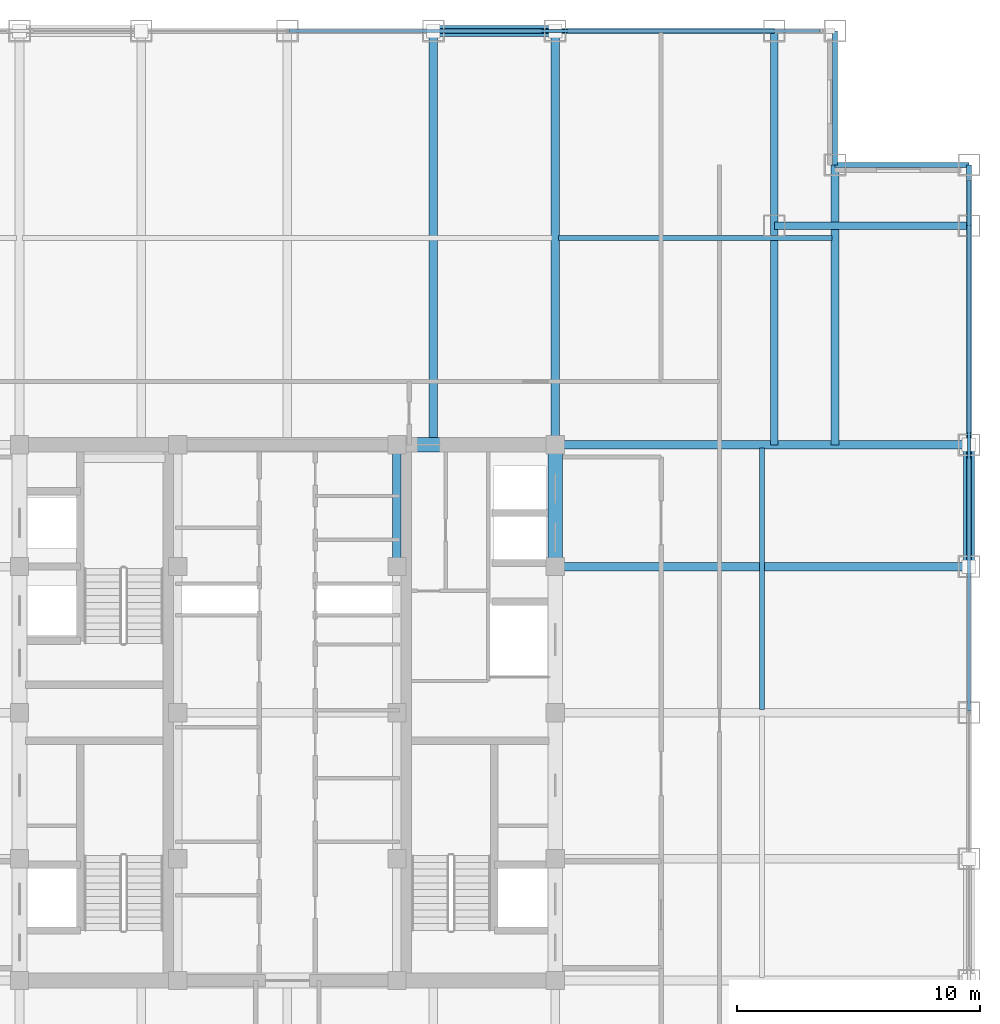
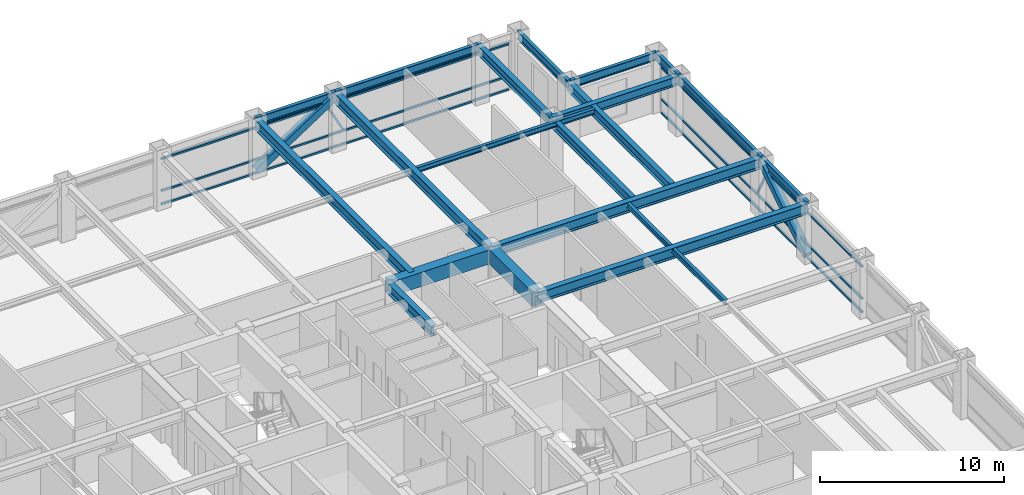
# One storey, part 15 of 22: 19 beams, 10 members, 2 elements without a shape of their own.
"""IFC4 building model written with IfcOpenShell, lengths in metres."""

from ifc_helpers import new_model, si_unit, direction, frame, origin, origin_2d, place, context, subcontext, project, spatial, rectangle, hollow_rectangle, i_section, extrude, source, transform, mapped, material, material_profile, profile_set, type_object, element, aggregate, save


model = new_model("IFC4")

# Units and contexts
model_context = context("Model", 3, precision=1e-05, world=origin(), true_north=direction((0.0, 1.0)))
body_context = subcontext(model_context, "Body", "Model", "MODEL_VIEW")
ifc_project = project(units=[si_unit("LENGTHUNIT", "METRE"), si_unit("AREAUNIT", "SQUARE_METRE"), si_unit("VOLUMEUNIT", "CUBIC_METRE"), si_unit("PLANEANGLEUNIT", "RADIAN"), si_unit("MASSUNIT", "GRAM", prefix="KILO")], contexts=[model_context])

# Site, building, storey
site_placement = place(None, origin())
site = spatial("IfcSite", under=ifc_project, at=site_placement, CompositionType="ELEMENT")
building_placement = place(site_placement, origin())
building = spatial("IfcBuilding", under=site, at=building_placement, Name="Khorayat Bourse Tower", CompositionType="ELEMENT")
storey_placement = place(building_placement, frame((0.0, 0.0, 289.5)))
storey = spatial("IfcBuildingStorey", under=building, at=storey_placement, Name="L68", CompositionType="ELEMENT", Elevation=289.5)

# Beams
ifc_material_1 = material(Name="Steel ASTM A992 Grade 50", Category="steel")
ifc_material_profile_1 = material_profile(ifc_material_1, i_section(OverallWidth=0.35498046875, OverallDepth=0.695068359375, WebThickness=0.015380859375, FlangeThickness=0.02490234375, FilletRadius=0.01806640625, at=origin_2d()), Name="W690X217")
ifc_profile_set_1 = profile_set([ifc_material_profile_1], Name="Steel ASTM A992 Grade 50")
beam_type_1 = type_object("IfcBeamType", Name="BM-GIRD-690", PredefinedType="BEAM", material=ifc_profile_set_1)
shared_shape_1 = source(origin(), body_context, "Body", "SweptSolid", [
    extrude(i_section(OverallWidth=0.35498046875, OverallDepth=0.695068359375, WebThickness=0.015380859375, FlangeThickness=0.02490234375, FilletRadius=0.01806640625, at=origin_2d()), origin(), (0.0, 0.0, 1.0), 5.0),
])
beam_1_placement = place(storey_placement, frame((4.5, 6.0, 3.4326171875), z_axis=(0.0, 1.0, 0.0), x_axis=(-1.0, 0.0, 0.0)))
element("IfcBeam", 1, at=beam_1_placement, inside=storey, type_object=beam_type_1, Name="L68 BM-GIRD-690 BM-L68-CRX-12", PredefinedType="BEAM", context=body_context, shape_type="MappedRepresentation", body=[
    mapped(shared_shape_1, transform((0.0, 0.0, 0.0), scale=1.0)),
])
ifc_material_profile_2 = material_profile(ifc_material_1, i_section(OverallWidth=0.324951171875, OverallDepth=0.615966796875, WebThickness=0.013916015625, FlangeThickness=0.021484375, FilletRadius=0.01611328125, at=origin_2d()), Name="W610X174")
ifc_profile_set_2 = profile_set([ifc_material_profile_2], Name="Steel ASTM A992 Grade 50")
beam_type_2 = type_object("IfcBeamType", Name="BM-GIRD-610", PredefinedType="BEAM", material=ifc_profile_set_2)
shared_shape_2 = source(origin(), body_context, "Body", "SweptSolid", [
    extrude(i_section(OverallWidth=0.324951171875, OverallDepth=0.615966796875, WebThickness=0.013916015625, FlangeThickness=0.021484375, FilletRadius=0.01611328125, at=origin_2d()), origin(), (0.0, 0.0, 1.0), 17.0),
])
beam_2_placement = place(storey_placement, frame((20.0, 11.0, 3.471923828125), z_axis=(0.0, 1.0, 0.0), x_axis=(-1.0, 0.0, 0.0)))
element("IfcBeam", 2, at=beam_2_placement, inside=storey, type_object=beam_type_2, Name="L68 BM-GIRD-610 BM-L68-CNRY-087", PredefinedType="BEAM", context=body_context, shape_type="MappedRepresentation", body=[
    mapped(shared_shape_2, transform((0.0, 0.0, 0.0), scale=1.0)),
])
ifc_material_2 = material(Name="Concrete C60/75", Category="concrete")
ifc_material_profile_3 = material_profile(ifc_material_2, rectangle(XDim=0.60009765625, YDim=0.949951171875, at=origin_2d()), Name="RC 600x950")
ifc_profile_set_3 = profile_set([ifc_material_profile_3], Name="Concrete C60/75")
beam_type_3 = type_object("IfcBeamType", Name="BM-COUP-950", PredefinedType="BEAM", material=ifc_profile_set_3)
shared_shape_3 = source(origin(), body_context, "Body", "SweptSolid", [
    extrude(rectangle(XDim=0.60009765625, YDim=0.949951171875, at=origin_2d()), origin(), (0.0, 0.0, 1.0), 5.0),
])
beam_3_placement = place(storey_placement, frame((11.0, 6.0, 3.304931640625), z_axis=(0.0, 1.0, 0.0), x_axis=(-1.0, 0.0, 0.0)))
element("IfcBeam", 3, at=beam_3_placement, inside=storey, type_object=beam_type_3, Name="L68 BM-COUP-950 BM-L68-CRX-16", PredefinedType="BEAM", context=body_context, shape_type="MappedRepresentation", body=[
    mapped(shared_shape_3, transform((0.0, 0.0, 0.0), scale=1.0)),
])
shared_shape_4 = source(origin(), body_context, "Body", "SweptSolid", [
    extrude(rectangle(XDim=0.60009765625, YDim=0.949951171875, at=origin_2d()), origin(), (0.0, 0.0, 1.0), 6.5),
])
beam_4_placement = place(storey_placement, frame((4.5, 11.0, 3.304931640625), z_axis=(1.0, 0.0, 0.0), x_axis=(0.0, 1.0, 0.0)))
element("IfcBeam", 4, at=beam_4_placement, inside=storey, type_object=beam_type_3, Name="L68 BM-COUP-950 BM-L68-CRY-22", PredefinedType="BEAM", context=body_context, shape_type="MappedRepresentation", body=[
    mapped(shared_shape_4, transform((0.0, 0.0, 0.0), scale=1.0)),
])

# Members
ifc_material_3 = material(Name="Steel EN 10025-4 S460M", Category="steel")
ifc_material_profile_4 = material_profile(ifc_material_3, hollow_rectangle(XDim=0.449951171875, YDim=0.449951171875, WallThickness=0.02490234375, at=origin_2d()), Name="HSS 450x450x25")
ifc_profile_set_4 = profile_set([ifc_material_profile_4], Name="Steel EN 10025-4 S460M")
member_type_1 = type_object("IfcMemberType", Name="MBR-TUBE-450", PredefinedType="BRACE", material=ifc_profile_set_4)
shared_shape_5 = source(origin(), body_context, "Body", "SweptSolid", [
    extrude(hollow_rectangle(XDim=0.449951171875, YDim=0.449951171875, WallThickness=0.02490234375, at=origin_2d()), origin(), (0.0, 0.0, 1.0), 5.979736328125),
])
for number, where, z_axis, x_axis, name in (
    (5, (6.0, 28.0, 0.25), (0.836141536525, 0.0, 0.548513747227), (0.0, 1.0, 0.0), "L68 Perimeter Tube Brace 04"),
    (6, (28.0, 6.0, 0.25), (0.0, 0.836141536525, 0.548513747227), (-1.0, 0.0, 0.0), "L68 Perimeter Tube Brace 08"),
):
    element("IfcMember", number, at=place(storey_placement, frame(where, z_axis=z_axis, x_axis=x_axis)), inside=storey, type_object=member_type_1, Name=name, PredefinedType="BRACE", context=body_context, shape_type="MappedRepresentation", body=[
        mapped(shared_shape_5, transform((0.0, 0.0, 0.0), scale=1.0)),
    ])

# Beams
shared_shape_6 = source(origin(), body_context, "Body", "SweptSolid", [
    extrude(i_section(OverallWidth=0.35498046875, OverallDepth=0.695068359375, WebThickness=0.015380859375, FlangeThickness=0.02490234375, FilletRadius=0.01806640625, at=origin_2d()), origin(), (0.0, 0.0, 1.0), 17.0),
])
for number, where, z_axis, x_axis, name in (
    (7, (6.0, 11.0, 3.4326171875), (0.0, 1.0, 0.0), (-1.0, 0.0, 0.0), "L68 BM-GIRD-690 BM-L68-RADY-070"),
    (8, (11.0, 11.0, 3.4326171875), (0.0, 1.0, 0.0), (-1.0, 0.0, 0.0), "L68 BM-GIRD-690 BM-L68-RADY-072"),
    (9, (11.0, 6.0, 3.4326171875), (1.0, 0.0, 0.0), (0.0, 1.0, 0.0), "L68 BM-GIRD-690 BM-L68-RADX-080"),
    (10, (11.0, 11.0, 3.4326171875), (1.0, 0.0, 0.0), (0.0, 1.0, 0.0), "L68 BM-GIRD-690 BM-L68-RADX-082"),
):
    element("IfcBeam", number, at=place(storey_placement, frame(where, z_axis=z_axis, x_axis=x_axis)), inside=storey, type_object=beam_type_1, Name=name, PredefinedType="BEAM", context=body_context, shape_type="MappedRepresentation", body=[
        mapped(shared_shape_6, transform((0.0, 0.0, 0.0), scale=1.0)),
    ])
shared_shape_7 = source(origin(), body_context, "Body", "SweptSolid", [
    extrude(i_section(OverallWidth=0.324951171875, OverallDepth=0.615966796875, WebThickness=0.013916015625, FlangeThickness=0.021484375, FilletRadius=0.01611328125, at=origin_2d()), origin(), (0.0, 0.0, 1.0), 11.5),
])
beam_5_placement = place(storey_placement, frame((22.5, 11.0, 3.471923828125), z_axis=(0.0, 1.0, 0.0), x_axis=(-1.0, 0.0, 0.0)))
element("IfcBeam", 11, at=beam_5_placement, inside=storey, type_object=beam_type_2, Name="L68 BM-GIRD-610 BM-L68-CNRY-091", PredefinedType="BEAM", context=body_context, shape_type="MappedRepresentation", body=[
    mapped(shared_shape_7, transform((0.0, 0.0, 0.0), scale=1.0)),
])
shared_shape_8 = source(origin(), body_context, "Body", "SweptSolid", [
    extrude(i_section(OverallWidth=0.324951171875, OverallDepth=0.615966796875, WebThickness=0.013916015625, FlangeThickness=0.021484375, FilletRadius=0.01611328125, at=origin_2d()), origin(), (0.0, 0.0, 1.0), 8.0),
])
beam_6_placement = place(storey_placement, frame((20.0, 20.0, 3.471923828125), z_axis=(1.0, 0.0, 0.0), x_axis=(0.0, 1.0, 0.0)))
element("IfcBeam", 12, at=beam_6_placement, inside=storey, type_object=beam_type_2, Name="L68 BM-GIRD-610 BM-L68-CNRX-094", PredefinedType="BEAM", context=body_context, shape_type="MappedRepresentation", body=[
    mapped(shared_shape_8, transform((0.0, 0.0, 0.0), scale=1.0)),
])
ifc_material_profile_5 = material_profile(ifc_material_1, i_section(OverallWidth=0.202880859375, OverallDepth=0.346923828125, WebThickness=0.0078125, FlangeThickness=0.013427734375, FilletRadius=0.010009765625, at=origin_2d()), Name="W360X64")
ifc_profile_set_5 = profile_set([ifc_material_profile_5], Name="Steel ASTM A992 Grade 50")
beam_type_4 = type_object("IfcBeamType", Name="BM-JOIST-360", PredefinedType="JOIST", material=ifc_profile_set_5)
shared_shape_9 = source(origin(), body_context, "Body", "SweptSolid", [
    extrude(i_section(OverallWidth=0.202880859375, OverallDepth=0.346923828125, WebThickness=0.0078125, FlangeThickness=0.013427734375, FilletRadius=0.010009765625, at=origin_2d()), origin(), (0.0, 0.0, 1.0), 11.240234375),
])
beam_7_placement = place(storey_placement, frame((11.1298828125, 19.5, 3.6064453125), z_axis=(1.0, 0.0, 0.0), x_axis=(0.0, 1.0, 0.0)))
element("IfcBeam", 13, at=beam_7_placement, inside=storey, type_object=beam_type_4, Name="L68 BM-JOIST-360 BM-L68-JSTX-101", PredefinedType="JOIST", context=body_context, shape_type="MappedRepresentation", body=[
    mapped(shared_shape_9, transform((0.0, 0.0, 0.0), scale=1.0)),
])
shared_shape_10 = source(origin(), body_context, "Body", "SweptSolid", [
    extrude(i_section(OverallWidth=0.202880859375, OverallDepth=0.346923828125, WebThickness=0.0078125, FlangeThickness=0.013427734375, FilletRadius=0.010009765625, at=origin_2d()), origin(), (0.0, 0.0, 1.0), 10.740234375),
])
beam_8_placement = place(storey_placement, frame((19.5, 0.1298828125, 3.6064453125), z_axis=(0.0, 1.0, 0.0), x_axis=(-1.0, 0.0, 0.0)))
element("IfcBeam", 14, at=beam_8_placement, inside=storey, type_object=beam_type_4, Name="L68 BM-JOIST-360 BM-L68-JSTY-105", PredefinedType="JOIST", context=body_context, shape_type="MappedRepresentation", body=[
    mapped(shared_shape_10, transform((0.0, 0.0, 0.0), scale=1.0)),
])
ifc_material_profile_6 = material_profile(ifc_material_1, i_section(OverallWidth=0.214111328125, OverallDepth=0.549072265625, WebThickness=0.0146484375, FlangeThickness=0.023681640625, FilletRadius=0.013916015625, at=origin_2d()), Name="W530X138")
ifc_profile_set_6 = profile_set([ifc_material_profile_6], Name="Steel ASTM A992 Grade 50")
beam_type_5 = type_object("IfcBeamType", Name="BM-SPAN-530", PredefinedType="SPANDREL", material=ifc_profile_set_6)
shared_shape_11 = source(origin(), body_context, "Body", "SweptSolid", [
    extrude(i_section(OverallWidth=0.214111328125, OverallDepth=0.549072265625, WebThickness=0.0146484375, FlangeThickness=0.023681640625, FilletRadius=0.013916015625, at=origin_2d()), origin(), (0.0, 0.0, 1.0), 2.5),
])
beam_9_placement = place(storey_placement, frame((28.0, 20.0, 3.505615234375), z_axis=(0.0, 1.0, 0.0), x_axis=(-1.0, 0.0, 0.0)))
element("IfcBeam", 15, at=beam_9_placement, inside=storey, type_object=beam_type_5, Name="L68 BM-SPAN-530 BM-L68-SPN-041", PredefinedType="SPANDREL", context=body_context, shape_type="MappedRepresentation", body=[
    mapped(shared_shape_11, transform((0.0, 0.0, 0.0), scale=1.0)),
])
shared_shape_12 = source(origin(), body_context, "Body", "SweptSolid", [
    extrude(i_section(OverallWidth=0.214111328125, OverallDepth=0.549072265625, WebThickness=0.0146484375, FlangeThickness=0.023681640625, FilletRadius=0.013916015625, at=origin_2d()), origin(), (0.0, 0.0, 1.0), 9.0),
])
for number, where, z_axis, x_axis, name in (
    (16, (28.0, 11.0, 3.505615234375), (0.0, 1.0, 0.0), (-1.0, 0.0, 0.0), "L68 BM-SPAN-530 BM-L68-SPN-040"),
    (17, (11.0, 28.0, 3.505615234375), (1.0, 0.0, 0.0), (0.0, 1.0, 0.0), "L68 BM-SPAN-530 BM-L68-SPN-045"),
):
    element("IfcBeam", number, at=place(storey_placement, frame(where, z_axis=z_axis, x_axis=x_axis)), inside=storey, type_object=beam_type_5, Name=name, PredefinedType="SPANDREL", context=body_context, shape_type="MappedRepresentation", body=[
        mapped(shared_shape_12, transform((0.0, 0.0, 0.0), scale=1.0)),
    ])
shared_shape_13 = source(origin(), body_context, "Body", "SweptSolid", [
    extrude(i_section(OverallWidth=0.214111328125, OverallDepth=0.549072265625, WebThickness=0.0146484375, FlangeThickness=0.023681640625, FilletRadius=0.013916015625, at=origin_2d()), origin(), (0.0, 0.0, 1.0), 5.0),
])
for number, where, z_axis, x_axis, name in (
    (18, (28.0, 6.0, 3.505615234375), (0.0, 1.0, 0.0), (-1.0, 0.0, 0.0), "L68 BM-SPAN-530 BM-L68-SPN-039"),
    (19, (6.0, 28.0, 3.505615234375), (1.0, 0.0, 0.0), (0.0, 1.0, 0.0), "L68 BM-SPAN-530 BM-L68-SPN-046"),
):
    element("IfcBeam", number, at=place(storey_placement, frame(where, z_axis=z_axis, x_axis=x_axis)), inside=storey, type_object=beam_type_5, Name=name, PredefinedType="SPANDREL", context=body_context, shape_type="MappedRepresentation", body=[
        mapped(shared_shape_13, transform((0.0, 0.0, 0.0), scale=1.0)),
    ])
shared_shape_14 = source(origin(), body_context, "Body", "SweptSolid", [
    extrude(i_section(OverallWidth=0.214111328125, OverallDepth=0.549072265625, WebThickness=0.0146484375, FlangeThickness=0.023681640625, FilletRadius=0.013916015625, at=origin_2d()), origin(), (0.0, 0.0, 1.0), 5.5),
])
for number, where, z_axis, x_axis, name in (
    (20, (22.5, 22.5, 3.505615234375), (1.0, 0.0, 0.0), (0.0, 1.0, 0.0), "L68 BM-SPAN-530 BM-L68-SPN-042"),
    (21, (22.5, 22.5, 3.505615234375), (0.0, 1.0, 0.0), (-1.0, 0.0, 0.0), "L68 BM-SPAN-530 BM-L68-SPN-043"),
):
    element("IfcBeam", number, at=place(storey_placement, frame(where, z_axis=z_axis, x_axis=x_axis)), inside=storey, type_object=beam_type_5, Name=name, PredefinedType="SPANDREL", context=body_context, shape_type="MappedRepresentation", body=[
        mapped(shared_shape_14, transform((0.0, 0.0, 0.0), scale=1.0)),
    ])

# Curtain wall, member
ifc_material_4 = material(Name="Aluminium EN AW-6063 T6", Category="aluminium")
curtain_wall_type = type_object("IfcCurtainWallType", Name="CW-SYS-04", PredefinedType="NOTDEFINED", material=ifc_material_4)
curtain_wall_1_placement = place(storey_placement, origin())
curtain_wall_1 = element("IfcCurtainWall", 22, at=curtain_wall_1_placement, inside=storey, type_object=curtain_wall_type, Name="L68 Curtain Wall CW-L68-N1", PredefinedType="NOTDEFINED")
ifc_material_profile_7 = material_profile(ifc_material_4, hollow_rectangle(XDim=0.1201171875, YDim=0.1201171875, WallThickness=0.0048828125, at=origin_2d()), Name="ALU 120x120x5")
ifc_profile_set_7 = profile_set([ifc_material_profile_7], Name="Aluminium EN AW-6063 T6")
member_type_2 = type_object("IfcMemberType", Name="CWM-DIAG-120", PredefinedType="MULLION", material=ifc_profile_set_7)
shared_shape_15 = source(origin(), body_context, "Body", "SweptSolid", [
    extrude(hollow_rectangle(XDim=0.1201171875, YDim=0.1201171875, WallThickness=0.0048828125, at=origin_2d()), origin(), (0.0, 0.0, 1.0), 2.0791015625),
])
member_1_placement = place(storey_placement, frame((11.4541015625, 28.0, 1.090087890625), z_axis=(-0.465717394116, 0.0, 0.884933505309), x_axis=(0.0, -1.0, 0.0)))
member_1 = element("IfcMember", 23, at=member_1_placement, type_object=member_type_2, Name="CW-L68-N1 Faceted Diagonal Mullion 2", PredefinedType="MULLION", context=body_context, shape_type="MappedRepresentation", body=[
    mapped(shared_shape_15, transform((0.0, 0.0, 0.0), scale=1.0)),
])

curtain_wall_2_placement = place(storey_placement, origin())
curtain_wall_2 = element("IfcCurtainWall", 24, at=curtain_wall_2_placement, inside=storey, type_object=curtain_wall_type, Name="L68 Curtain Wall CW-L68-E1", PredefinedType="NOTDEFINED")
member_2_placement = place(storey_placement, frame((28.0, 11.4541015625, 1.090087890625), z_axis=(0.0, -0.465717394116, 0.884933505309), x_axis=(1.0, 0.0, 0.0)))
member_2 = element("IfcMember", 25, at=member_2_placement, type_object=member_type_2, Name="CW-L68-E1 Faceted Diagonal Mullion 2", PredefinedType="MULLION", context=body_context, shape_type="MappedRepresentation", body=[
    mapped(shared_shape_15, transform((0.0, 0.0, 0.0), scale=1.0)),
])

# Member
ifc_material_profile_8 = material_profile(ifc_material_4, hollow_rectangle(XDim=0.1201171875, YDim=0.1201171875, WallThickness=0.0048828125, at=origin_2d()), Name="ALU 120x120x5")
ifc_profile_set_8 = profile_set([ifc_material_profile_8], Name="Aluminium EN AW-6063 T6")
member_type_3 = type_object("IfcMemberType", Name="CWT-HORZ-120", PredefinedType="USERDEFINED", material=ifc_profile_set_8)
shared_shape_16 = source(origin(), body_context, "Body", "SweptSolid", [
    extrude(hollow_rectangle(XDim=0.1201171875, YDim=0.1201171875, WallThickness=0.0048828125, at=origin_2d()), origin(), (0.0, 0.0, 1.0), 21.81982421875),
])
member_3_placement = place(storey_placement, frame((0.06005859375, 28.0, 0.06005859375), z_axis=(1.0, 0.0, 0.0), x_axis=(0.0, 1.0, 0.0)))
member_3 = element("IfcMember", 26, at=member_3_placement, type_object=member_type_3, Name="CW-L68-N1 Horizontal Transom 2-1", ObjectType="TRANSOM", PredefinedType="USERDEFINED", context=body_context, shape_type="MappedRepresentation", body=[
    mapped(shared_shape_16, transform((0.0, 0.0, 0.0), scale=1.0)),
])

member_4_placement = place(storey_placement, frame((0.06005859375, 28.0, 0.949951171875), z_axis=(1.0, 0.0, 0.0), x_axis=(0.0, 1.0, 0.0)))
member_4 = element("IfcMember", 27, at=member_4_placement, type_object=member_type_3, Name="CW-L68-N1 Horizontal Transom 2-2", ObjectType="TRANSOM", PredefinedType="USERDEFINED", context=body_context, shape_type="MappedRepresentation", body=[
    mapped(shared_shape_16, transform((0.0, 0.0, 0.0), scale=1.0)),
])

member_5_placement = place(storey_placement, frame((0.06005859375, 28.0, 3.070068359375), z_axis=(1.0, 0.0, 0.0), x_axis=(0.0, 1.0, 0.0)))
member_5 = element("IfcMember", 28, at=member_5_placement, type_object=member_type_3, Name="CW-L68-N1 Horizontal Transom 2-3", ObjectType="TRANSOM", PredefinedType="USERDEFINED", context=body_context, shape_type="MappedRepresentation", body=[
    mapped(shared_shape_16, transform((0.0, 0.0, 0.0), scale=1.0)),
])

aggregate(curtain_wall_1, [member_3, member_4, member_5, member_1])

member_6_placement = place(storey_placement, frame((28.0, 0.06005859375, 0.06005859375), z_axis=(0.0, 1.0, 0.0), x_axis=(-1.0, 0.0, 0.0)))
member_6 = element("IfcMember", 29, at=member_6_placement, type_object=member_type_3, Name="CW-L68-E1 Horizontal Transom 2-1", ObjectType="TRANSOM", PredefinedType="USERDEFINED", context=body_context, shape_type="MappedRepresentation", body=[
    mapped(shared_shape_16, transform((0.0, 0.0, 0.0), scale=1.0)),
])

member_7_placement = place(storey_placement, frame((28.0, 0.06005859375, 0.949951171875), z_axis=(0.0, 1.0, 0.0), x_axis=(-1.0, 0.0, 0.0)))
member_7 = element("IfcMember", 30, at=member_7_placement, type_object=member_type_3, Name="CW-L68-E1 Horizontal Transom 2-2", ObjectType="TRANSOM", PredefinedType="USERDEFINED", context=body_context, shape_type="MappedRepresentation", body=[
    mapped(shared_shape_16, transform((0.0, 0.0, 0.0), scale=1.0)),
])

member_8_placement = place(storey_placement, frame((28.0, 0.06005859375, 3.070068359375), z_axis=(0.0, 1.0, 0.0), x_axis=(-1.0, 0.0, 0.0)))
member_8 = element("IfcMember", 31, at=member_8_placement, type_object=member_type_3, Name="CW-L68-E1 Horizontal Transom 2-3", ObjectType="TRANSOM", PredefinedType="USERDEFINED", context=body_context, shape_type="MappedRepresentation", body=[
    mapped(shared_shape_16, transform((0.0, 0.0, 0.0), scale=1.0)),
])

aggregate(curtain_wall_2, [member_6, member_7, member_8, member_2])

save(model, "model.ifc")
